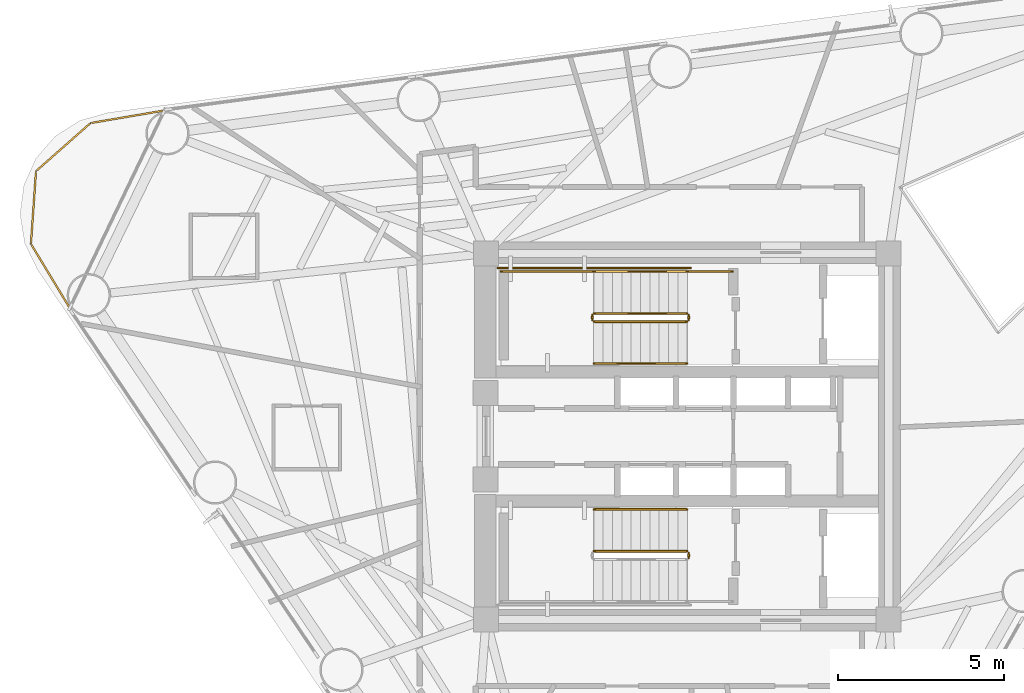
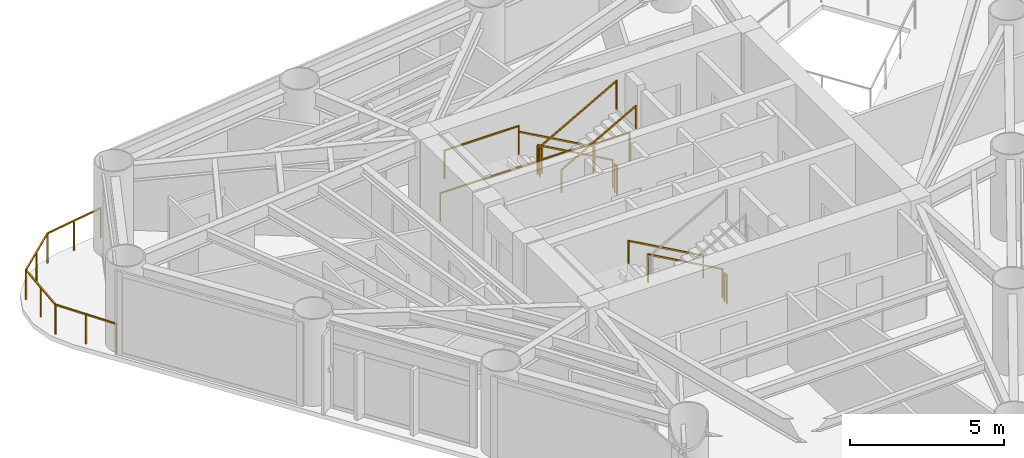
# One storey, part 8 of 9: 13 railings.
"""IFC4 building model written with IfcOpenShell, lengths in metres."""

from ifc_helpers import new_model, si_unit, direction, frame, origin, origin_2d, place, context, subcontext, project, spatial, rectangle, extrude, material, type_object, element, save


model = new_model("IFC4")

# Units and contexts
model_context = context("Model", 3, precision=1e-05, world=origin(), true_north=direction((0.0, 1.0)))
body_context = subcontext(model_context, "Body", "Model", "MODEL_VIEW")
ifc_project = project(units=[si_unit("LENGTHUNIT", "METRE"), si_unit("AREAUNIT", "SQUARE_METRE"), si_unit("VOLUMEUNIT", "CUBIC_METRE"), si_unit("PLANEANGLEUNIT", "RADIAN"), si_unit("MASSUNIT", "GRAM", prefix="KILO")], contexts=[model_context])

# Site, building, storey
site_placement = place(None, origin())
site = spatial("IfcSite", under=ifc_project, at=site_placement, CompositionType="ELEMENT")
building_placement = place(site_placement, origin())
building = spatial("IfcBuilding", under=site, at=building_placement, Name="Yunling Apex Tower", CompositionType="ELEMENT")
storey_placement = place(building_placement, frame((0.0, 0.0, 165.64990234375)))
storey = spatial("IfcBuildingStorey", under=building, at=storey_placement, Name="L40", CompositionType="ELEMENT", Elevation=165.64990234375)

# Railings
ifc_material_1 = material(Name="Bronze anodised aluminium", Category="aluminium")
railing_type_1 = type_object("IfcRailingType", Name="RL-BAL-1200", PredefinedType="BALUSTRADE", material=ifc_material_1)
railing_1_placement = place(storey_placement, frame((-18.567138671875, 3.859375, 0.0)))
element("IfcRailing", 1, at=railing_1_placement, inside=storey, type_object=railing_type_1, Name="RL-CRNSILL-L40-2", PredefinedType="BALUSTRADE", context=body_context, shape_type="SweptSolid", body=[
    extrude(rectangle(XDim=0.0439453125, YDim=0.0439453125, at=origin_2d()), origin(), (0.0, 0.0, 1.0), 1.199951171875),
    extrude(rectangle(XDim=0.0439453125, YDim=0.0439453125, at=origin_2d()), frame((-1.1669921875, 1.927001953125, 0.0)), (0.0, 0.0, 1.0), 1.199951171875),
    extrude(rectangle(XDim=0.050048828125, YDim=0.050048828125, at=origin_2d()), frame((-0.019775390625, 0.03271484375, 1.1748046875), z_axis=(-0.518013473605, 0.855372457566, 0.0), x_axis=(-0.855372457566, -0.518013473605, 0.0)), (0.0, 0.0, 1.0), 2.17626953125),
    extrude(rectangle(XDim=0.0439453125, YDim=0.0439453125, at=origin_2d()), frame((-0.58349609375, 0.96337890625, 0.0)), (0.0, 0.0, 1.0), 1.14599609375),
    extrude(rectangle(XDim=0.0439453125, YDim=0.0439453125, at=origin_2d()), frame((-1.015380859375, 4.114501953125, 0.0)), (0.0, 0.0, 1.0), 1.199951171875),
    extrude(rectangle(XDim=0.050048828125, YDim=0.050048828125, at=origin_2d()), frame((-1.164306640625, 1.96533203125, 1.1748046875), z_axis=(0.069142168872, 0.997606816578, 0.0), x_axis=(-0.997606816578, 0.069142168872, 0.0)), (0.0, 0.0, 1.0), 2.115966796875),
    extrude(rectangle(XDim=0.0439453125, YDim=0.0439453125, at=origin_2d()), frame((-1.09130859375, 3.020751953125, 0.0)), (0.0, 0.0, 1.0), 1.14599609375),
    extrude(rectangle(XDim=0.0439453125, YDim=0.0439453125, at=origin_2d()), frame((0.623046875, 5.560791015625, 0.0)), (0.0, 0.0, 1.0), 1.199951171875),
    extrude(rectangle(XDim=0.050048828125, YDim=0.050048828125, at=origin_2d()), frame((-0.986572265625, 4.139892578125, 1.1748046875), z_axis=(0.749697655483, 0.661780496361, 0.0), x_axis=(-0.661780496361, 0.749697655483, 0.0)), (0.0, 0.0, 1.0), 2.10888671875),
    extrude(rectangle(XDim=0.0439453125, YDim=0.0439453125, at=origin_2d()), frame((-0.1962890625, 4.837646484375, 0.0)), (0.0, 0.0, 1.0), 1.14599609375),
    extrude(rectangle(XDim=0.0439453125, YDim=0.0439453125, at=origin_2d()), frame((2.8447265625, 5.93896484375, 0.0)), (0.0, 0.0, 1.0), 1.199951171875),
    extrude(rectangle(XDim=0.050048828125, YDim=0.050048828125, at=origin_2d()), frame((0.660888671875, 5.567138671875, 1.1748046875), z_axis=(0.985820025914, 0.167806068147, 0.0), x_axis=(-0.167806068147, 0.985820025914, 0.0)), (0.0, 0.0, 1.0), 2.177001953125),
    extrude(rectangle(XDim=0.0439453125, YDim=0.0439453125, at=origin_2d()), frame((1.73388671875, 5.75, 0.0)), (0.0, 0.0, 1.0), 1.14599609375),
])
ifc_material_2 = material(Name="Steel Q355B", Category="steel")
railing_type_2 = type_object("IfcRailingType", Name="RL-GRD-1150", PredefinedType="GUARDRAIL", material=ifc_material_2)
railing_2_placement = place(storey_placement, frame((-0.010009765625, 3.699951171875, 0.156982421875)))
element("IfcRailing", 2, at=railing_2_placement, inside=storey, type_object=railing_type_2, Name="L40 ST-1 stair guard 1", PredefinedType="GUARDRAIL", context=body_context, shape_type="SweptSolid", body=[
    extrude(rectangle(XDim=0.0439453125, YDim=0.0439453125, at=origin_2d()), origin(), (0.0, 0.0, 1.0), 1.14990234375),
    extrude(rectangle(XDim=0.0439453125, YDim=0.0439453125, at=origin_2d()), frame((-2.800048828125, 0.0, 1.568115234375)), (0.0, 0.0, 1.0), 1.14990234375),
    extrude(rectangle(XDim=0.050048828125, YDim=0.050048828125, at=origin_2d()), frame((-0.033447265625, 0.0, 1.1435546875), z_axis=(-0.872494340497, 0.0, 0.48862421737), x_axis=(0.0, -1.0, 0.0)), (0.0, 0.0, 1.0), 3.132568359375),
])
railing_3_placement = place(storey_placement, frame((-2.860107421875, 3.64990234375, 1.72509765625)))
element("IfcRailing", 3, at=railing_3_placement, inside=storey, type_object=railing_type_2, Name="L40 ST-1 stair guard 2", PredefinedType="GUARDRAIL", context=body_context, shape_type="SweptSolid", body=[
    extrude(rectangle(XDim=0.0439453125, YDim=0.0439453125, at=origin_2d()), origin(), (0.0, 0.0, 1.0), 1.14990234375),
    extrude(rectangle(XDim=0.0439453125, YDim=0.0439453125, at=origin_2d()), frame((0.0, -0.14990234375, 0.0)), (0.0, 0.0, 1.0), 1.14990234375),
    extrude(rectangle(XDim=0.050048828125, YDim=0.050048828125, at=origin_2d()), frame((0.0, -0.038330078125, 1.125), z_axis=(0.0, -1.0, 0.0), x_axis=(1.0, 0.0, 0.0)), (0.0, 0.0, 1.0), 0.0732421875),
])
railing_4_placement = place(storey_placement, frame((-2.81005859375, 4.9599609375, 1.72509765625)))
element("IfcRailing", 4, at=railing_4_placement, inside=storey, type_object=railing_type_2, Name="L40 ST-1 stair guard 3", PredefinedType="GUARDRAIL", context=body_context, shape_type="SweptSolid", body=[
    extrude(rectangle(XDim=0.0439453125, YDim=0.0439453125, at=origin_2d()), origin(), (0.0, 0.0, 1.0), 1.14990234375),
    extrude(rectangle(XDim=0.0439453125, YDim=0.0439453125, at=origin_2d()), frame((-2.7900390625, 0.0, 0.0)), (0.0, 0.0, 1.0), 1.14990234375),
    extrude(rectangle(XDim=0.050048828125, YDim=0.050048828125, at=origin_2d()), frame((-0.038330078125, 0.0, 1.125), z_axis=(-1.0, 0.0, 0.0), x_axis=(0.0, -1.0, 0.0)), (0.0, 0.0, 1.0), 2.71337890625),
])
railing_5_placement = place(storey_placement, frame((-2.81005859375, 3.449951171875, 1.8818359375)))
element("IfcRailing", 5, at=railing_5_placement, inside=storey, type_object=railing_type_2, Name="L40 ST-1 stair guard 4", PredefinedType="GUARDRAIL", context=body_context, shape_type="SweptSolid", body=[
    extrude(rectangle(XDim=0.0439453125, YDim=0.0439453125, at=origin_2d()), origin(), (0.0, 0.0, 1.0), 1.14990234375),
    extrude(rectangle(XDim=0.0439453125, YDim=0.0439453125, at=origin_2d()), frame((2.800048828125, 0.0, 1.568359375)), (0.0, 0.0, 1.0), 1.14990234375),
    extrude(rectangle(XDim=0.050048828125, YDim=0.050048828125, at=origin_2d()), frame((0.033447265625, 0.0, 1.1435546875), z_axis=(0.872461907711, 0.0, 0.488682125306), x_axis=(0.0, 1.0, 0.0)), (0.0, 0.0, 1.0), 3.1328125),
])
railing_6_placement = place(storey_placement, frame((0.0400390625, 3.64990234375, 0.0)))
element("IfcRailing", 6, at=railing_6_placement, inside=storey, type_object=railing_type_2, Name="L40 ST-1 stair guard 5", PredefinedType="GUARDRAIL", context=body_context, shape_type="SweptSolid", body=[
    extrude(rectangle(XDim=0.0439453125, YDim=0.0439453125, at=origin_2d()), origin(), (0.0, 0.0, 1.0), 1.14990234375),
    extrude(rectangle(XDim=0.0439453125, YDim=0.0439453125, at=origin_2d()), frame((0.0, -0.14990234375, 0.0)), (0.0, 0.0, 1.0), 1.14990234375),
    extrude(rectangle(XDim=0.050048828125, YDim=0.050048828125, at=origin_2d()), frame((0.0, -0.038330078125, 1.125), z_axis=(0.0, -1.0, 0.0), x_axis=(1.0, 0.0, 0.0)), (0.0, 0.0, 1.0), 0.0732421875),
])
railing_7_placement = place(storey_placement, frame((1.35009765625, 4.9599609375, 0.0)))
element("IfcRailing", 7, at=railing_7_placement, inside=storey, type_object=railing_type_2, Name="L40 ST-1 stair guard 6", PredefinedType="GUARDRAIL", context=body_context, shape_type="SweptSolid", body=[
    extrude(rectangle(XDim=0.0439453125, YDim=0.0439453125, at=origin_2d()), origin(), (0.0, 0.0, 1.0), 1.14990234375),
    extrude(rectangle(XDim=0.0439453125, YDim=0.0439453125, at=origin_2d()), frame((-1.360107421875, 0.0, 0.0)), (0.0, 0.0, 1.0), 1.14990234375),
    extrude(rectangle(XDim=0.050048828125, YDim=0.050048828125, at=origin_2d()), frame((-0.038330078125, 0.0, 1.125), z_axis=(-1.0, 0.0, 0.0), x_axis=(0.0, -1.0, 0.0)), (0.0, 0.0, 1.0), 1.283447265625),
])
railing_8_placement = place(storey_placement, frame((0.090087890625, 5.06005859375, 0.0)))
element("IfcRailing", 8, at=railing_8_placement, inside=storey, type_object=railing_type_2, Name="L40 ST-1 stair guard 7", PredefinedType="GUARDRAIL", context=body_context, shape_type="SweptSolid", body=[
    extrude(rectangle(XDim=0.0439453125, YDim=0.0439453125, at=origin_2d()), origin(), (0.0, 0.0, 1.0), 1.14990234375),
    extrude(rectangle(XDim=0.0439453125, YDim=0.0439453125, at=origin_2d()), frame((-5.7900390625, 0.0, 0.0)), (0.0, 0.0, 1.0), 1.14990234375),
    extrude(rectangle(XDim=0.050048828125, YDim=0.050048828125, at=origin_2d()), frame((-0.038330078125, 0.0, 1.125), z_axis=(-1.0, 0.0, 0.0), x_axis=(0.0, -1.0, 0.0)), (0.0, 0.0, 1.0), 5.71337890625),
])
railing_9_placement = place(storey_placement, frame((-0.010009765625, -3.449951171875, 0.156982421875)))
element("IfcRailing", 9, at=railing_9_placement, inside=storey, type_object=railing_type_2, Name="L40 ST-2 stair guard 1", PredefinedType="GUARDRAIL", context=body_context, shape_type="SweptSolid", body=[
    extrude(rectangle(XDim=0.0439453125, YDim=0.0439453125, at=origin_2d()), origin(), (0.0, 0.0, 1.0), 1.14990234375),
    extrude(rectangle(XDim=0.0439453125, YDim=0.0439453125, at=origin_2d()), frame((-2.800048828125, 0.0, 1.568115234375)), (0.0, 0.0, 1.0), 1.14990234375),
    extrude(rectangle(XDim=0.050048828125, YDim=0.050048828125, at=origin_2d()), frame((-0.033447265625, 0.0, 1.1435546875), z_axis=(-0.872494340497, 0.0, 0.48862421737), x_axis=(0.0, -1.0, 0.0)), (0.0, 0.0, 1.0), 3.132568359375),
])
railing_10_placement = place(storey_placement, frame((0.0400390625, -3.5, 0.0)))
element("IfcRailing", 10, at=railing_10_placement, inside=storey, type_object=railing_type_2, Name="L40 ST-2 stair guard 5", PredefinedType="GUARDRAIL", context=body_context, shape_type="SweptSolid", body=[
    extrude(rectangle(XDim=0.0439453125, YDim=0.0439453125, at=origin_2d()), origin(), (0.0, 0.0, 1.0), 1.14990234375),
    extrude(rectangle(XDim=0.0439453125, YDim=0.0439453125, at=origin_2d()), frame((0.0, -0.14990234375, 0.0)), (0.0, 0.0, 1.0), 1.14990234375),
    extrude(rectangle(XDim=0.050048828125, YDim=0.050048828125, at=origin_2d()), frame((0.0, -0.038330078125, 1.125), z_axis=(0.0, -1.0, 0.0), x_axis=(1.0, 0.0, 0.0)), (0.0, 0.0, 1.0), 0.0732421875),
])
ifc_material_3 = material(Name="Silver anodised aluminium", Category="aluminium")
railing_type_3 = type_object("IfcRailingType", Name="RL-HND-900", PredefinedType="HANDRAIL", material=ifc_material_3)
railing_11_placement = place(storey_placement, frame((-0.010009765625, 4.9599609375, 0.156982421875)))
element("IfcRailing", 11, at=railing_11_placement, inside=storey, type_object=railing_type_3, Name="L40 ST-1 stair handrail 1", PredefinedType="HANDRAIL", context=body_context, shape_type="SweptSolid", body=[
    extrude(rectangle(XDim=0.0439453125, YDim=0.0439453125, at=origin_2d()), origin(), (0.0, 0.0, 1.0), 0.919921875),
    extrude(rectangle(XDim=0.0439453125, YDim=0.0439453125, at=origin_2d()), frame((-2.800048828125, 0.0, 1.568115234375)), (0.0, 0.0, 1.0), 0.919921875),
    extrude(rectangle(XDim=0.050048828125, YDim=0.050048828125, at=origin_2d()), frame((-0.033447265625, 0.0, 0.91357421875), z_axis=(-0.872494340497, 0.0, 0.48862421737), x_axis=(0.0, -1.0, 0.0)), (0.0, 0.0, 1.0), 3.132568359375),
])
railing_12_placement = place(storey_placement, frame((-2.81005859375, 2.18994140625, 1.8818359375)))
element("IfcRailing", 12, at=railing_12_placement, inside=storey, type_object=railing_type_3, Name="L40 ST-1 stair handrail 2", PredefinedType="HANDRAIL", context=body_context, shape_type="SweptSolid", body=[
    extrude(rectangle(XDim=0.0439453125, YDim=0.0439453125, at=origin_2d()), origin(), (0.0, 0.0, 1.0), 0.919921875),
    extrude(rectangle(XDim=0.0439453125, YDim=0.0439453125, at=origin_2d()), frame((2.800048828125, 0.0, 1.568359375)), (0.0, 0.0, 1.0), 0.919921875),
    extrude(rectangle(XDim=0.050048828125, YDim=0.050048828125, at=origin_2d()), frame((0.033447265625, 0.0, 0.91357421875), z_axis=(0.872461907711, 0.0, 0.488682125306), x_axis=(0.0, 1.0, 0.0)), (0.0, 0.0, 1.0), 3.1328125),
])
railing_13_placement = place(storey_placement, frame((-0.010009765625, -2.18994140625, 0.156982421875)))
element("IfcRailing", 13, at=railing_13_placement, inside=storey, type_object=railing_type_3, Name="L40 ST-2 stair handrail 1", PredefinedType="HANDRAIL", context=body_context, shape_type="SweptSolid", body=[
    extrude(rectangle(XDim=0.0439453125, YDim=0.0439453125, at=origin_2d()), origin(), (0.0, 0.0, 1.0), 0.919921875),
    extrude(rectangle(XDim=0.0439453125, YDim=0.0439453125, at=origin_2d()), frame((-2.800048828125, 0.0, 1.568115234375)), (0.0, 0.0, 1.0), 0.919921875),
    extrude(rectangle(XDim=0.050048828125, YDim=0.050048828125, at=origin_2d()), frame((-0.033447265625, 0.0, 0.91357421875), z_axis=(-0.872494340497, 0.0, 0.48862421737), x_axis=(0.0, -1.0, 0.0)), (0.0, 0.0, 1.0), 3.132568359375),
])

save(model, "model.ifc")
